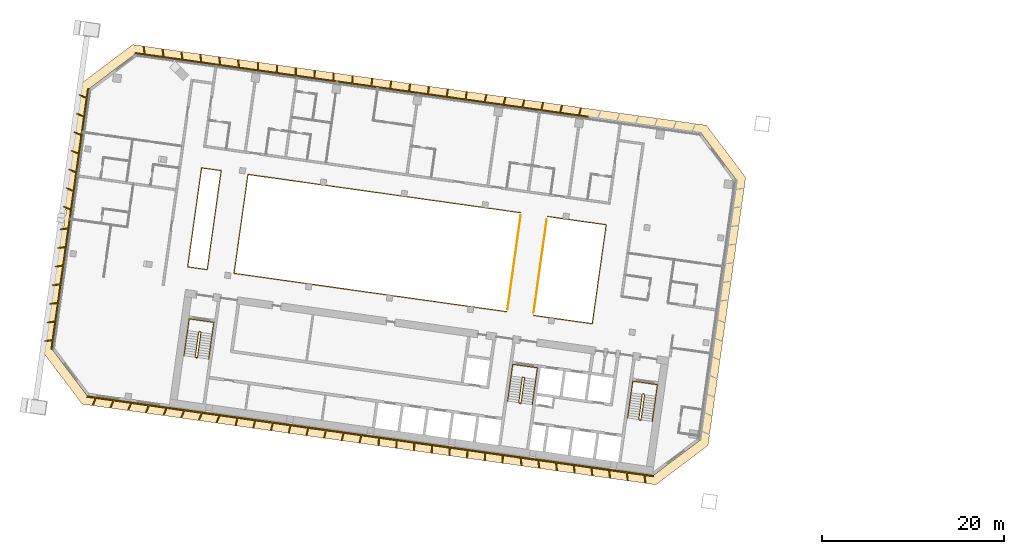
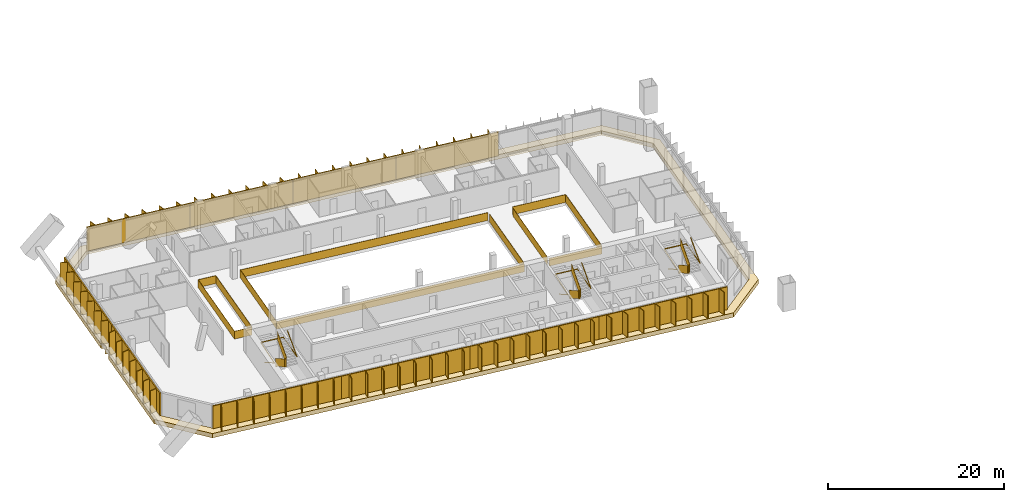
# One storey, part 32 of 34: 11 railings, 10 shading devices, 1 covering.
"""IFC4 building model written with IfcOpenShell, lengths in metres."""

from ifc_helpers import new_model, si_unit, direction, frame, origin, origin_2d, place, context, subcontext, project, spatial, polyline, rectangle, outline, extrude, material, layer, layer_set, type_object, element, save


model = new_model("IFC4")

# Units and contexts
model_context = context("Model", 3, precision=1e-05, world=origin(), true_north=direction((0.0, 1.0)))
body_context = subcontext(model_context, "Body", "Model", "MODEL_VIEW")
ifc_project = project(units=[si_unit("LENGTHUNIT", "METRE"), si_unit("AREAUNIT", "SQUARE_METRE"), si_unit("VOLUMEUNIT", "CUBIC_METRE"), si_unit("PLANEANGLEUNIT", "RADIAN"), si_unit("MASSUNIT", "GRAM", prefix="KILO")], contexts=[model_context])

# Site, building, storey
site_placement = place(None, origin())
site = spatial("IfcSite", under=ifc_project, at=site_placement, CompositionType="ELEMENT")
building_placement = place(site_placement, origin())
building = spatial("IfcBuilding", under=site, at=building_placement, Name="Mirante Cascada Hotel Towers", CompositionType="ELEMENT")
storey_placement = place(building_placement, frame((0.0, 0.0, 148.1)))
storey = spatial("IfcBuildingStorey", under=building, at=storey_placement, Name="L34", CompositionType="ELEMENT", Elevation=148.1)

# Railings
ifc_material_1 = material(Name="Toughened glass with stainless steel handrail", Category="steel")
railing_type_1 = type_object("IfcRailingType", Name="Atrium guard 1100 glass balustrade", PredefinedType="GUARDRAIL", material=ifc_material_1)
railing_1_placement = place(storey_placement, frame((-48.76, 8.3112, 0.0)))
element("IfcRailing", 1, at=railing_1_placement, inside=storey, type_object=railing_type_1, Name="GUARD 1-L34-1", PredefinedType="GUARDRAIL", context=body_context, shape_type="SweptSolid", body=[
    extrude(rectangle(XDim=0.048, YDim=0.048, at=origin_2d()), frame((0.0, 0.0, 1.076), z_axis=(0.9902694, -0.1391638, 0.0), x_axis=(0.1391638, 0.9902694, 0.0)), (0.0, 0.0, 1.0), 6.5125),
    extrude(rectangle(XDim=0.02, YDim=1.052, at=origin_2d()), frame((0.0, 0.0, 0.526), z_axis=(0.9902694, -0.1391638, 0.0), x_axis=(0.1391638, 0.9902694, 0.0)), (0.0, 0.0, 1.0), 6.5125),
    extrude(rectangle(XDim=0.048, YDim=0.048, at=origin_2d()), frame((6.4491, -0.9063, 1.076), z_axis=(-0.1391721, -0.9902682, 0.0), x_axis=(0.9902682, -0.1391721, 0.0)), (0.0, 0.0, 1.0), 11.0001),
    extrude(rectangle(XDim=0.02, YDim=1.052, at=origin_2d()), frame((6.4491, -0.9063, 0.526), z_axis=(-0.1391721, -0.9902682, 0.0), x_axis=(0.9902682, -0.1391721, 0.0)), (0.0, 0.0, 1.0), 11.0001),
    extrude(rectangle(XDim=0.048, YDim=0.048, at=origin_2d()), frame((4.9182, -11.7993, 1.076), z_axis=(-0.9902673, 0.1391788, 0.0), x_axis=(-0.1391788, -0.9902673, 0.0)), (0.0, 0.0, 1.0), 6.5125),
    extrude(rectangle(XDim=0.02, YDim=1.052, at=origin_2d()), frame((4.9182, -11.7993, 0.526), z_axis=(-0.9902673, 0.1391788, 0.0), x_axis=(-0.1391788, -0.9902673, 0.0)), (0.0, 0.0, 1.0), 6.5125),
])
railing_2_placement = place(storey_placement, frame((-53.2617, -2.1642, 0.0)))
element("IfcRailing", 2, at=railing_2_placement, inside=storey, type_object=railing_type_1, Name="GUARD 1-L34-2", PredefinedType="GUARDRAIL", context=body_context, shape_type="SweptSolid", body=[
    extrude(rectangle(XDim=0.048, YDim=0.048, at=origin_2d()), frame((0.0, 0.0, 1.076), z_axis=(-0.9902682, 0.1391722, 0.0), x_axis=(-0.1391722, -0.9902682, 0.0)), (0.0, 0.0, 1.0), 30.325),
    extrude(rectangle(XDim=0.02, YDim=1.052, at=origin_2d()), frame((0.0, 0.0, 0.526), z_axis=(-0.9902682, 0.1391722, 0.0), x_axis=(-0.1391722, -0.9902682, 0.0)), (0.0, 0.0, 1.0), 30.325),
    extrude(rectangle(XDim=0.048, YDim=0.048, at=origin_2d()), frame((-30.0299, 4.2204, 1.076), z_axis=(0.1391721, 0.9902682, 0.0), x_axis=(-0.9902682, 0.1391721, 0.0)), (0.0, 0.0, 1.0), 11.0001),
    extrude(rectangle(XDim=0.02, YDim=1.052, at=origin_2d()), frame((-30.0299, 4.2204, 0.526), z_axis=(0.1391721, 0.9902682, 0.0), x_axis=(-0.9902682, 0.1391721, 0.0)), (0.0, 0.0, 1.0), 11.0001),
    extrude(rectangle(XDim=0.048, YDim=0.048, at=origin_2d()), frame((-28.499, 15.1134, 1.076), z_axis=(0.9902682, -0.1391722, 0.0), x_axis=(0.1391722, 0.9902682, 0.0)), (0.0, 0.0, 1.0), 30.325),
    extrude(rectangle(XDim=0.02, YDim=1.052, at=origin_2d()), frame((-28.499, 15.1134, 0.526), z_axis=(0.9902682, -0.1391722, 0.0), x_axis=(0.1391722, 0.9902682, 0.0)), (0.0, 0.0, 1.0), 30.325),
])
railing_3_placement = place(storey_placement, frame((-86.2624, 2.4738, 0.0)))
element("IfcRailing", 3, at=railing_3_placement, inside=storey, type_object=railing_type_1, Name="GUARD 1-L34-3", PredefinedType="GUARDRAIL", context=body_context, shape_type="SweptSolid", body=[
    extrude(rectangle(XDim=0.048, YDim=0.048, at=origin_2d()), frame((0.0, 0.0, 1.076), z_axis=(-0.9902724, 0.1391422, 0.0), x_axis=(-0.1391422, -0.9902724, 0.0)), (0.0, 0.0, 1.0), 2.1625),
    extrude(rectangle(XDim=0.02, YDim=1.052, at=origin_2d()), frame((0.0, 0.0, 0.526), z_axis=(-0.9902724, 0.1391422, 0.0), x_axis=(-0.1391422, -0.9902724, 0.0)), (0.0, 0.0, 1.0), 2.1625),
    extrude(rectangle(XDim=0.048, YDim=0.048, at=origin_2d()), frame((-2.1415, 0.3009, 1.076), z_axis=(0.1391721, 0.9902682, 0.0), x_axis=(-0.9902682, 0.1391721, 0.0)), (0.0, 0.0, 1.0), 11.0001),
    extrude(rectangle(XDim=0.02, YDim=1.052, at=origin_2d()), frame((-2.1415, 0.3009, 0.526), z_axis=(0.1391721, 0.9902682, 0.0), x_axis=(-0.9902682, 0.1391721, 0.0)), (0.0, 0.0, 1.0), 11.0001),
    extrude(rectangle(XDim=0.048, YDim=0.048, at=origin_2d()), frame((-0.6106, 11.1939, 1.076), z_axis=(0.990266, -0.1391875, 0.0), x_axis=(0.1391875, 0.990266, 0.0)), (0.0, 0.0, 1.0), 2.1626),
    extrude(rectangle(XDim=0.02, YDim=1.052, at=origin_2d()), frame((-0.6106, 11.1939, 0.526), z_axis=(0.990266, -0.1391875, 0.0), x_axis=(0.1391875, 0.990266, 0.0)), (0.0, 0.0, 1.0), 2.1626),
    extrude(rectangle(XDim=0.048, YDim=0.048, at=origin_2d()), frame((1.5309, 10.8929, 1.076), z_axis=(-0.1391733, -0.990268, 0.0), x_axis=(0.990268, -0.1391733, 0.0)), (0.0, 0.0, 1.0), 11.0),
    extrude(rectangle(XDim=0.02, YDim=1.052, at=origin_2d()), frame((1.5309, 10.8929, 0.526), z_axis=(-0.1391733, -0.990268, 0.0), x_axis=(0.990268, -0.1391733, 0.0)), (0.0, 0.0, 1.0), 11.0),
])
railing_4_placement = place(storey_placement, frame((-53.172, -1.8782, 0.0)))
element("IfcRailing", 4, at=railing_4_placement, inside=storey, type_object=railing_type_1, Name="GUARD 1-L34-4", PredefinedType="GUARDRAIL", context=body_context, shape_type="SweptSolid", body=[
    extrude(rectangle(XDim=0.048, YDim=0.048, at=origin_2d()), frame((0.0, 0.0, 1.076), z_axis=(0.1391721, 0.9902682, 0.0), x_axis=(-0.9902682, 0.1391721, 0.0)), (0.0, 0.0, 1.0), 10.4087),
    extrude(rectangle(XDim=0.02, YDim=1.052, at=origin_2d()), frame((0.0, 0.0, 0.526), z_axis=(0.1391721, 0.9902682, 0.0), x_axis=(-0.9902682, 0.1391721, 0.0)), (0.0, 0.0, 1.0), 10.4087),
])
railing_5_placement = place(storey_placement, frame((-48.8497, 8.0253, 0.0)))
element("IfcRailing", 5, at=railing_5_placement, inside=storey, type_object=railing_type_1, Name="GUARD 1-L34-5", PredefinedType="GUARDRAIL", context=body_context, shape_type="SweptSolid", body=[
    extrude(rectangle(XDim=0.048, YDim=0.048, at=origin_2d()), frame((0.0, 0.0, 1.076), z_axis=(-0.1391708, -0.9902684, 0.0), x_axis=(0.9902684, -0.1391708, 0.0)), (0.0, 0.0, 1.0), 10.4088),
    extrude(rectangle(XDim=0.02, YDim=1.052, at=origin_2d()), frame((0.0, 0.0, 0.526), z_axis=(-0.1391708, -0.9902684, 0.0), x_axis=(0.9902684, -0.1391708, 0.0)), (0.0, 0.0, 1.0), 10.4088),
])

# Covering
ifc_material_2 = material(Name="Precast concrete C40/50 white", Category="concrete")
ifc_layer = layer(ifc_material_2, 0.6)
ifc_layer_set = layer_set([ifc_layer], Name="Precast concrete SUNSHADE band 1000x600")
covering_type = type_object("IfcCoveringType", Name="Precast concrete SUNSHADE band 1000x600", PredefinedType="CLADDING", material=ifc_layer_set)
covering_placement = place(storey_placement, frame((0.0, 0.0, -0.45)))
element("IfcCovering", 6, at=covering_placement, inside=storey, type_object=covering_type, Name="Precast concrete SUNSHADE band T1 L34", PredefinedType="CLADDING", context=body_context, shape_type="SweptSolid", body=[
    extrude(outline(polyline([(-104.3652, -6.6094), (-102.4514, 7.0078), (-102.4357, 7.0088), (-102.3892, 7.0162), (-102.3436, 7.0282), (-102.2994, 7.0446), (-102.2571, 7.0652), (-102.217, 7.0899), (-102.1795, 7.1184), (-102.1449, 7.1504), (-102.1137, 7.1857), (-102.0861, 7.2238), (-102.0623, 7.2645), (-102.0427, 7.3073), (-102.0273, 7.3519), (-102.0164, 7.3977), (-101.9727, 7.6312), (-101.9664, 7.6778), (-101.9646, 7.7249), (-101.9674, 7.7719), (-101.9749, 7.8184), (-101.9869, 7.864), (-102.0032, 7.9082), (-102.0239, 7.9505), (-102.0485, 7.9906), (-102.077, 8.0282), (-102.1091, 8.0627), (-102.1443, 8.0939), (-102.1825, 8.1215), (-102.2232, 8.1453), (-102.2389, 8.1525), (-102.2218, 8.1551), (-102.1761, 8.1667), (-102.1319, 8.1828), (-102.0893, 8.2031), (-102.049, 8.2274), (-102.0113, 8.2557), (-101.9765, 8.2874), (-101.945, 8.3224), (-101.9171, 8.3604), (-101.893, 8.4009), (-101.8731, 8.4435), (-101.8574, 8.4879), (-101.8461, 8.5337), (-101.8393, 8.5803), (-101.817, 8.8168), (-101.8148, 8.8638), (-101.8173, 8.9109), (-101.8244, 8.9574), (-101.836, 9.0031), (-101.852, 9.0474), (-101.8723, 9.0899), (-101.8967, 9.1302), (-101.9249, 9.1679), (-101.9567, 9.2027), (-101.9917, 9.2342), (-102.0296, 9.2621), (-102.0701, 9.2862), (-102.1128, 9.3062), (-102.1277, 9.3114), (-100.2139, 22.9287), (-94.4698, 27.2572), (-31.2626, 18.374), (-26.9341, 12.6299), (-31.0854, -16.9082), (-36.8295, -21.2367), (-100.0367, -12.3535), (-104.3652, -6.6094)]), holes=[polyline([(-27.982, 12.3589), (-31.8119, 17.4414), (-94.1988, 26.2093), (-99.2813, 22.3794), (-103.3173, -6.3384), (-99.4874, -11.4209), (-37.1005, -20.1888), (-32.018, -16.3589), (-27.982, 12.3589)])]), origin(), (0.0, 0.0, 1.0), 0.6),
])

# Railings
ifc_material_3 = material(Name="Painted steel", Category="steel")
railing_type_2 = type_object("IfcRailingType", Name="Stair guard 1100 steel balustrade", PredefinedType="GUARDRAIL", material=ifc_material_3)
railing_6_placement = place(storey_placement, frame((-38.1178, -11.2603, 0.0)))
element("IfcRailing", 7, at=railing_6_placement, inside=storey, type_object=railing_type_2, Name="L34 ST1-A stair guard 1", PredefinedType="GUARDRAIL", context=body_context, shape_type="SweptSolid", body=[
    extrude(rectangle(XDim=0.048, YDim=0.048, at=origin_2d()), frame((0.0, 0.0, 1.076), z_axis=(-0.9903326, 0.1387133, 0.0), x_axis=(-0.1387133, -0.9903326, 0.0)), (0.0, 0.0, 1.0), 0.1499),
    extrude(rectangle(XDim=0.02, YDim=1.052, at=origin_2d()), frame((0.0, 0.0, 0.526), z_axis=(-0.9903326, 0.1387133, 0.0), x_axis=(-0.1387133, -0.9903326, 0.0)), (0.0, 0.0, 1.0), 0.1499),
    extrude(rectangle(XDim=0.048, YDim=0.048, at=origin_2d()), frame((-0.1485, 0.0208, 1.076), z_axis=(-0.7991505, -0.6011309, 0.0), x_axis=(0.6011309, -0.7991505, 0.0)), (0.0, 0.9254529, 0.3788627), 0.1866),
    extrude(rectangle(XDim=0.02, YDim=1.052, at=origin_2d()), frame((-0.1485, 0.0208, 0.526), z_axis=(-0.7991505, -0.6011309, 0.0), x_axis=(0.6011309, -0.7991505, 0.0)), (0.0, 0.9254529, 0.3788627), 0.1866),
    extrude(rectangle(XDim=0.048, YDim=0.048, at=origin_2d()), frame((-0.205, -0.0217, 1.2487), z_axis=(-0.139176, -0.9902677, 0.0), x_axis=(0.9902677, -0.139176, 0.0)), (0.0, 0.5250212, 0.8510891), 3.29),
    extrude(rectangle(XDim=0.02, YDim=1.052, at=origin_2d()), frame((-0.205, -0.0217, 0.6987), z_axis=(-0.139176, -0.9902677, 0.0), x_axis=(0.9902677, -0.139176, 0.0)), (0.0, 0.5250212, 0.8510891), 3.29),
    extrude(rectangle(XDim=0.048, YDim=0.048, at=origin_2d()), frame((-0.5947, -2.7945, 2.976), z_axis=(0.9270311, -0.3749843, 0.0), x_axis=(0.3749843, 0.9270311, 0.0)), (0.0, 0.0, 1.0), 0.2061),
    extrude(rectangle(XDim=0.02, YDim=1.052, at=origin_2d()), frame((-0.5947, -2.7945, 2.426), z_axis=(0.9270311, -0.3749843, 0.0), x_axis=(0.3749843, 0.9270311, 0.0)), (0.0, 0.0, 1.0), 0.2061),
    extrude(rectangle(XDim=0.048, YDim=0.048, at=origin_2d()), frame((-0.4036, -2.8718, 2.976), z_axis=(-0.9902408, 0.1393672, 0.0), x_axis=(-0.1393672, -0.9902408, 0.0)), (0.0, 0.0, 1.0), 0.15),
    extrude(rectangle(XDim=0.02, YDim=1.052, at=origin_2d()), frame((-0.4036, -2.8718, 2.426), z_axis=(-0.9902408, 0.1393672, 0.0), x_axis=(-0.1393672, -0.9902408, 0.0)), (0.0, 0.0, 1.0), 0.15),
    extrude(rectangle(XDim=0.048, YDim=0.048, at=origin_2d()), frame((-0.5521, -2.8509, 2.976), z_axis=(0.9944948, 0.1047858, 0.0), x_axis=(-0.1047858, 0.9944948, 0.0)), (0.0, 0.6422034, 0.7665343), 0.2689),
    extrude(rectangle(XDim=0.02, YDim=1.052, at=origin_2d()), frame((-0.5521, -2.8509, 2.426), z_axis=(0.9944948, 0.1047858, 0.0), x_axis=(-0.1047858, 0.9944948, 0.0)), (0.0, 0.6422034, 0.7665343), 0.2689),
    extrude(rectangle(XDim=0.048, YDim=0.048, at=origin_2d()), frame((-0.3471, -2.8293, 3.1487), z_axis=(0.139176, 0.9902677, 0.0), x_axis=(-0.9902677, 0.139176, 0.0)), (0.0, 0.5250212, 0.8510891), 3.29),
    extrude(rectangle(XDim=0.02, YDim=1.052, at=origin_2d()), frame((-0.3471, -2.8293, 2.5987), z_axis=(0.139176, 0.9902677, 0.0), x_axis=(-0.9902677, 0.139176, 0.0)), (0.0, 0.5250212, 0.8510891), 3.29),
])
railing_7_placement = place(storey_placement, frame((-51.3379, -9.4024, 0.0)))
element("IfcRailing", 8, at=railing_7_placement, inside=storey, type_object=railing_type_2, Name="L34 ST1-B stair guard 1", PredefinedType="GUARDRAIL", context=body_context, shape_type="SweptSolid", body=[
    extrude(rectangle(XDim=0.048, YDim=0.048, at=origin_2d()), frame((0.0, 0.0, 1.076), z_axis=(-0.9902408, 0.1393672, 0.0), x_axis=(-0.1393672, -0.9902408, 0.0)), (0.0, 0.0, 1.0), 0.15),
    extrude(rectangle(XDim=0.02, YDim=1.052, at=origin_2d()), frame((0.0, 0.0, 0.526), z_axis=(-0.9902408, 0.1393672, 0.0), x_axis=(-0.1393672, -0.9902408, 0.0)), (0.0, 0.0, 1.0), 0.15),
    extrude(rectangle(XDim=0.048, YDim=0.048, at=origin_2d()), frame((-0.1485, 0.0209, 1.076), z_axis=(-0.7984711, -0.6020331, 0.0), x_axis=(0.6020331, -0.7984711, 0.0)), (0.0, 0.9253398, 0.3791387), 0.1866),
    extrude(rectangle(XDim=0.02, YDim=1.052, at=origin_2d()), frame((-0.1485, 0.0209, 0.526), z_axis=(-0.7984711, -0.6020331, 0.0), x_axis=(0.6020331, -0.7984711, 0.0)), (0.0, 0.9253398, 0.3791387), 0.1866),
    extrude(rectangle(XDim=0.048, YDim=0.048, at=origin_2d()), frame((-0.205, -0.0217, 1.2487), z_axis=(-0.139181, -0.990267, 0.0), x_axis=(0.990267, -0.139181, 0.0)), (0.0, 0.5250347, 0.8510808), 3.2899),
    extrude(rectangle(XDim=0.02, YDim=1.052, at=origin_2d()), frame((-0.205, -0.0217, 0.6987), z_axis=(-0.139181, -0.990267, 0.0), x_axis=(0.990267, -0.139181, 0.0)), (0.0, 0.5250347, 0.8510808), 3.2899),
    extrude(rectangle(XDim=0.048, YDim=0.048, at=origin_2d()), frame((-0.5947, -2.7944, 2.976), z_axis=(0.9268624, -0.3754011, 0.0), x_axis=(0.3754011, 0.9268624, 0.0)), (0.0, 0.0, 1.0), 0.2062),
    extrude(rectangle(XDim=0.02, YDim=1.052, at=origin_2d()), frame((-0.5947, -2.7944, 2.426), z_axis=(0.9268624, -0.3754011, 0.0), x_axis=(0.3754011, 0.9268624, 0.0)), (0.0, 0.0, 1.0), 0.2062),
    extrude(rectangle(XDim=0.048, YDim=0.048, at=origin_2d()), frame((-0.4036, -2.8718, 2.976), z_axis=(-0.9902408, 0.1393672, 0.0), x_axis=(-0.1393672, -0.9902408, 0.0)), (0.0, 0.0, 1.0), 0.15),
    extrude(rectangle(XDim=0.02, YDim=1.052, at=origin_2d()), frame((-0.4036, -2.8718, 2.426), z_axis=(-0.9902408, 0.1393672, 0.0), x_axis=(-0.1393672, -0.9902408, 0.0)), (0.0, 0.0, 1.0), 0.15),
    extrude(rectangle(XDim=0.048, YDim=0.048, at=origin_2d()), frame((-0.5521, -2.8509, 2.976), z_axis=(0.9944441, 0.1052656, 0.0), x_axis=(-0.1052656, 0.9944441, 0.0)), (0.0, 0.6421842, 0.7665504), 0.2689),
    extrude(rectangle(XDim=0.02, YDim=1.052, at=origin_2d()), frame((-0.5521, -2.8509, 2.426), z_axis=(0.9944441, 0.1052656, 0.0), x_axis=(-0.1052656, 0.9944441, 0.0)), (0.0, 0.6421842, 0.7665504), 0.2689),
    extrude(rectangle(XDim=0.048, YDim=0.048, at=origin_2d()), frame((-0.3471, -2.8292, 3.1487), z_axis=(0.139181, 0.990267, 0.0), x_axis=(-0.990267, 0.139181, 0.0)), (0.0, 0.5250347, 0.8510808), 3.2899),
    extrude(rectangle(XDim=0.02, YDim=1.052, at=origin_2d()), frame((-0.3471, -2.8292, 2.5987), z_axis=(0.139181, 0.990267, 0.0), x_axis=(-0.990267, 0.139181, 0.0)), (0.0, 0.5250347, 0.8510808), 3.2899),
])
railing_8_placement = place(storey_placement, frame((-86.9875, -4.3922, 0.0)))
element("IfcRailing", 9, at=railing_8_placement, inside=storey, type_object=railing_type_2, Name="L34 ST1-C stair guard 1", PredefinedType="GUARDRAIL", context=body_context, shape_type="SweptSolid", body=[
    extrude(rectangle(XDim=0.048, YDim=0.048, at=origin_2d()), frame((0.0, 0.0, 1.076), z_axis=(-0.9902537, 0.1392753, 0.0), x_axis=(-0.1392753, -0.9902537, 0.0)), (0.0, 0.0, 1.0), 0.1501),
    extrude(rectangle(XDim=0.02, YDim=1.052, at=origin_2d()), frame((0.0, 0.0, 0.526), z_axis=(-0.9902537, 0.1392753, 0.0), x_axis=(-0.1392753, -0.9902537, 0.0)), (0.0, 0.0, 1.0), 0.1501),
    extrude(rectangle(XDim=0.048, YDim=0.048, at=origin_2d()), frame((-0.1486, 0.0209, 1.076), z_axis=(-0.7986386, -0.601811, 0.0), x_axis=(0.601811, -0.7986386, 0.0)), (0.0, 0.925603, 0.3784959), 0.1866),
    extrude(rectangle(XDim=0.02, YDim=1.052, at=origin_2d()), frame((-0.1486, 0.0209, 0.526), z_axis=(-0.7986386, -0.601811, 0.0), x_axis=(0.601811, -0.7986386, 0.0)), (0.0, 0.925603, 0.3784959), 0.1866),
    extrude(rectangle(XDim=0.048, YDim=0.048, at=origin_2d()), frame((-0.205, -0.0216, 1.2487), z_axis=(-0.139176, -0.9902677, 0.0), x_axis=(0.9902677, -0.139176, 0.0)), (0.0, 0.5250212, 0.8510891), 3.29),
    extrude(rectangle(XDim=0.02, YDim=1.052, at=origin_2d()), frame((-0.205, -0.0216, 0.6987), z_axis=(-0.139176, -0.9902677, 0.0), x_axis=(0.9902677, -0.139176, 0.0)), (0.0, 0.5250212, 0.8510891), 3.29),
    extrude(rectangle(XDim=0.048, YDim=0.048, at=origin_2d()), frame((-0.5947, -2.7944, 2.976), z_axis=(0.9270311, -0.3749843, 0.0), x_axis=(0.3749843, 0.9270311, 0.0)), (0.0, 0.0, 1.0), 0.2061),
    extrude(rectangle(XDim=0.02, YDim=1.052, at=origin_2d()), frame((-0.5947, -2.7944, 2.426), z_axis=(0.9270311, -0.3749843, 0.0), x_axis=(0.3749843, 0.9270311, 0.0)), (0.0, 0.0, 1.0), 0.2061),
    extrude(rectangle(XDim=0.048, YDim=0.048, at=origin_2d()), frame((-0.4036, -2.8717, 2.976), z_axis=(-0.9903454, 0.1386217, 0.0), x_axis=(-0.1386217, -0.9903454, 0.0)), (0.0, 0.0, 1.0), 0.15),
    extrude(rectangle(XDim=0.02, YDim=1.052, at=origin_2d()), frame((-0.4036, -2.8717, 2.426), z_axis=(-0.9903454, 0.1386217, 0.0), x_axis=(-0.1386217, -0.9903454, 0.0)), (0.0, 0.0, 1.0), 0.15),
    extrude(rectangle(XDim=0.048, YDim=0.048, at=origin_2d()), frame((-0.5522, -2.8509, 2.976), z_axis=(0.9944441, 0.1052656, 0.0), x_axis=(-0.1052656, 0.9944441, 0.0)), (0.0, 0.6421842, 0.7665504), 0.2689),
    extrude(rectangle(XDim=0.02, YDim=1.052, at=origin_2d()), frame((-0.5522, -2.8509, 2.426), z_axis=(0.9944441, 0.1052656, 0.0), x_axis=(-0.1052656, 0.9944441, 0.0)), (0.0, 0.6421842, 0.7665504), 0.2689),
    extrude(rectangle(XDim=0.048, YDim=0.048, at=origin_2d()), frame((-0.3472, -2.8292, 3.1487), z_axis=(0.139176, 0.9902677, 0.0), x_axis=(-0.9902677, 0.139176, 0.0)), (0.0, 0.5250212, 0.8510891), 3.29),
    extrude(rectangle(XDim=0.02, YDim=1.052, at=origin_2d()), frame((-0.3472, -2.8292, 2.5987), z_axis=(0.139176, 0.9902677, 0.0), x_axis=(-0.9902677, 0.139176, 0.0)), (0.0, 0.5250212, 0.8510891), 3.29),
])
ifc_material_4 = material(Name="Painted steel", Category="steel")
railing_type_3 = type_object("IfcRailingType", Name="Stair handrail 900 steel tube", PredefinedType="HANDRAIL", material=ifc_material_4)
railing_9_placement = place(storey_placement, frame((-39.5606, -11.1081, 0.1727)))
element("IfcRailing", 10, at=railing_9_placement, inside=storey, type_object=railing_type_3, Name="L34 ST1-A stair handrail 1", PredefinedType="HANDRAIL", context=body_context, shape_type="SweptSolid", body=[
    extrude(rectangle(XDim=0.048, YDim=0.048, at=origin_2d()), frame((0.0, 0.0, 0.876), z_axis=(-0.139181, -0.990267, 0.0), x_axis=(0.990267, -0.139181, 0.0)), (0.0, 0.5250347, 0.8510808), 3.2899),
    extrude(rectangle(XDim=0.048, YDim=0.048, at=origin_2d()), frame((-0.3897, -2.7727, 2.6033), z_axis=(0.1391707, 0.9902684, 0.0), x_axis=(-0.9902684, 0.1391707, 0.0)), (0.0, 0.0420846, 0.999114), 4.1036),
    extrude(rectangle(XDim=0.048, YDim=0.048, at=origin_2d()), frame((0.1809, 1.2874, 2.776), z_axis=(0.9902691, -0.1391657, 0.0), x_axis=(0.1391657, 0.9902691, 0.0)), (0.0, 0.0, 1.0), 2.75),
    extrude(rectangle(XDim=0.048, YDim=0.048, at=origin_2d()), frame((2.9041, 0.9047, 2.776), z_axis=(-0.1391707, -0.9902684, 0.0), x_axis=(0.9902684, -0.1391707, 0.0)), (0.0, 0.0, 1.0), 4.1),
    extrude(rectangle(XDim=0.048, YDim=0.048, at=origin_2d()), frame((2.3335, -3.1554, 2.776), z_axis=(0.139181, 0.990267, 0.0), x_axis=(-0.990267, 0.139181, 0.0)), (0.0, 0.5250347, 0.8510808), 3.2899),
])
railing_10_placement = place(storey_placement, frame((-52.7807, -9.2501, 0.1727)))
element("IfcRailing", 11, at=railing_10_placement, inside=storey, type_object=railing_type_3, Name="L34 ST1-B stair handrail 1", PredefinedType="HANDRAIL", context=body_context, shape_type="SweptSolid", body=[
    extrude(rectangle(XDim=0.048, YDim=0.048, at=origin_2d()), frame((0.0, 0.0, 0.876), z_axis=(-0.139181, -0.990267, 0.0), x_axis=(0.990267, -0.139181, 0.0)), (0.0, 0.5250347, 0.8510808), 3.2899),
    extrude(rectangle(XDim=0.048, YDim=0.048, at=origin_2d()), frame((-0.3897, -2.7727, 2.6033), z_axis=(0.1391707, 0.9902684, 0.0), x_axis=(-0.9902684, 0.1391707, 0.0)), (0.0, 0.0420846, 0.999114), 4.1036),
    extrude(rectangle(XDim=0.048, YDim=0.048, at=origin_2d()), frame((0.1809, 1.2874, 2.776), z_axis=(0.9902641, -0.1392013, 0.0), x_axis=(0.1392013, 0.9902641, 0.0)), (0.0, 0.0, 1.0), 2.75),
    extrude(rectangle(XDim=0.048, YDim=0.048, at=origin_2d()), frame((2.9041, 0.9046, 2.776), z_axis=(-0.1391707, -0.9902684, 0.0), x_axis=(0.9902684, -0.1391707, 0.0)), (0.0, 0.0, 1.0), 4.1),
    extrude(rectangle(XDim=0.048, YDim=0.048, at=origin_2d()), frame((2.3335, -3.1555, 2.776), z_axis=(0.139176, 0.9902677, 0.0), x_axis=(-0.9902677, 0.139176, 0.0)), (0.0, 0.5250212, 0.8510891), 3.29),
])
railing_11_placement = place(storey_placement, frame((-88.4304, -4.2399, 0.1727)))
element("IfcRailing", 12, at=railing_11_placement, inside=storey, type_object=railing_type_3, Name="L34 ST1-C stair handrail 1", PredefinedType="HANDRAIL", context=body_context, shape_type="SweptSolid", body=[
    extrude(rectangle(XDim=0.048, YDim=0.048, at=origin_2d()), frame((0.0, 0.0, 0.876), z_axis=(-0.139181, -0.990267, 0.0), x_axis=(0.990267, -0.139181, 0.0)), (0.0, 0.5250347, 0.8510808), 3.2899),
    extrude(rectangle(XDim=0.048, YDim=0.048, at=origin_2d()), frame((-0.3897, -2.7727, 2.6033), z_axis=(0.1391947, 0.990265, 0.0), x_axis=(-0.990265, 0.1391947, 0.0)), (0.0, 0.0420845, 0.9991141), 4.1036),
    extrude(rectangle(XDim=0.048, YDim=0.048, at=origin_2d()), frame((0.181, 1.2874, 2.776), z_axis=(0.9902691, -0.1391657, 0.0), x_axis=(0.1391657, 0.9902691, 0.0)), (0.0, 0.0, 1.0), 2.75),
    extrude(rectangle(XDim=0.048, YDim=0.048, at=origin_2d()), frame((2.9042, 0.9047, 2.776), z_axis=(-0.1391707, -0.9902684, 0.0), x_axis=(0.9902684, -0.1391707, 0.0)), (0.0, 0.0, 1.0), 4.1),
    extrude(rectangle(XDim=0.048, YDim=0.048, at=origin_2d()), frame((2.3336, -3.1554, 2.776), z_axis=(0.139181, 0.990267, 0.0), x_axis=(-0.990267, 0.139181, 0.0)), (0.0, 0.5250347, 0.8510808), 3.2899),
])

# Shading devices
ifc_material_5 = material(Name="White precast concrete C50/60 fin", Category="concrete")
shading_device_type = type_object("IfcShadingDeviceType", Name="Vertical fin set 4500x900", PredefinedType="USERDEFINED", material=ifc_material_5)
shading_device_1_placement = place(storey_placement, origin())
element("IfcShadingDevice", 13, at=shading_device_1_placement, inside=storey, type_object=shading_device_type, Name="FIN T1 L34 front 1", ObjectType="FIN", PredefinedType="USERDEFINED", context=body_context, shape_type="SweptSolid", body=[
    extrude(outline(polyline([(-82.8173, 25.599), (-82.7126, 24.7465), (-81.7006, 24.6042), (-81.7214, 24.4557), (-94.1988, 26.2093), (-94.1779, 26.3578), (-93.1924, 26.2193), (-93.2945, 27.0506), (-93.2151, 27.0603), (-93.1104, 26.2078), (-91.1129, 25.9271), (-91.2149, 26.7583), (-91.1355, 26.7681), (-91.0308, 25.9155), (-89.0333, 25.6348), (-89.1354, 26.4661), (-89.056, 26.4758), (-88.9513, 25.6233), (-86.9537, 25.3425), (-87.0558, 26.1738), (-86.9764, 26.1835), (-86.8717, 25.331), (-84.8742, 25.0503), (-84.9762, 25.8815), (-84.8968, 25.8913), (-84.7922, 25.0387), (-82.7946, 24.758), (-82.8967, 25.5893), (-82.8173, 25.599)])), origin(), (0.0, 0.0, 1.0), 3.3),
])
shading_device_2_placement = place(storey_placement, origin())
element("IfcShadingDevice", 14, at=shading_device_2_placement, inside=storey, type_object=shading_device_type, Name="FIN T1 L34 front 2", ObjectType="FIN", PredefinedType="USERDEFINED", context=body_context, shape_type="SweptSolid", body=[
    extrude(outline(polyline([(-70.2221, 23.8469), (-70.2295, 22.9921), (-69.2232, 22.8507), (-69.2441, 22.7021), (-81.7214, 24.4557), (-81.7006, 24.6042), (-80.7072, 24.4646), (-80.6999, 25.3089), (-80.6199, 25.3082), (-80.6273, 24.4534), (-78.6277, 24.1724), (-78.6203, 25.0166), (-78.5403, 25.0159), (-78.5478, 24.1611), (-76.5481, 23.8801), (-76.5407, 24.7244), (-76.4608, 24.7237), (-76.4682, 23.8689), (-74.4686, 23.5878), (-74.4612, 24.4321), (-74.3812, 24.4314), (-74.3886, 23.5766), (-72.389, 23.2956), (-72.3816, 24.1399), (-72.3016, 24.1392), (-72.3091, 23.2844), (-70.3094, 23.0033), (-70.3021, 23.8476), (-70.2221, 23.8469)])), origin(), (0.0, 0.0, 1.0), 3.3),
])
shading_device_3_placement = place(storey_placement, origin())
element("IfcShadingDevice", 15, at=shading_device_3_placement, inside=storey, type_object=shading_device_type, Name="FIN T1 L34 front 3", ObjectType="FIN", PredefinedType="USERDEFINED", context=body_context, shape_type="SweptSolid", body=[
    extrude(outline(polyline([(-57.6277, 22.0794), (-57.746, 21.2376), (-56.7458, 21.0971), (-56.7667, 20.9485), (-69.2441, 22.7021), (-69.2232, 22.8507), (-68.223, 22.7101), (-68.1047, 23.5518), (-68.0255, 23.5407), (-68.1438, 22.699), (-66.1434, 22.4178), (-66.0251, 23.2596), (-65.9459, 23.2484), (-66.0642, 22.4067), (-64.0639, 22.1256), (-63.9456, 22.9673), (-63.8664, 22.9562), (-63.9847, 22.1144), (-61.9843, 21.8333), (-61.866, 22.675), (-61.7868, 22.6639), (-61.9051, 21.8222), (-59.9048, 21.541), (-59.7865, 22.3828), (-59.7072, 22.3716), (-59.8255, 21.5299), (-57.8252, 21.2488), (-57.7069, 22.0905), (-57.6277, 22.0794)])), origin(), (0.0, 0.0, 1.0), 3.3),
])
shading_device_4_placement = place(storey_placement, origin())
element("IfcShadingDevice", 16, at=shading_device_4_placement, inside=storey, type_object=shading_device_type, Name="FIN T1 L34 front 4", ObjectType="FIN", PredefinedType="USERDEFINED", context=body_context, shape_type="SweptSolid", body=[
    extrude(outline(polyline([(-45.0361, 20.2967), (-45.2617, 19.4831), (-44.2684, 19.3435), (-44.2893, 19.195), (-56.7667, 20.9485), (-56.7458, 21.0971), (-55.7394, 20.9556), (-55.511, 21.7794), (-55.4339, 21.758), (-55.6595, 20.9444), (-53.6599, 20.6634), (-53.4314, 21.4871), (-53.3544, 21.4657), (-53.58, 20.6521), (-51.5803, 20.3711), (-51.3519, 21.1949), (-51.2748, 21.1735), (-51.5004, 20.3599), (-49.5008, 20.0789), (-49.2723, 20.9026), (-49.1952, 20.8812), (-49.4209, 20.0676), (-47.4212, 19.7866), (-47.1928, 20.6103), (-47.1157, 20.589), (-47.3413, 19.7754), (-45.3416, 19.4943), (-45.1132, 20.3181), (-45.0361, 20.2967)])), origin(), (0.0, 0.0, 1.0), 3.3),
])
shading_device_5_placement = place(storey_placement, origin())
element("IfcShadingDevice", 17, at=shading_device_5_placement, inside=storey, type_object=shading_device_type, Name="FIN T1 L34 outer 1", ObjectType="FIN", PredefinedType="USERDEFINED", context=body_context, shape_type="SweptSolid", body=[
    extrude(outline(polyline([(-103.3178, -5.2642), (-103.041, -3.2949), (-103.8723, -3.397), (-103.8821, -3.3176), (-103.0295, -3.2129), (-102.7528, -1.2436), (-103.584, -1.3457), (-103.5938, -1.2663), (-102.7412, -1.1616), (-102.4645, 0.8076), (-103.2957, 0.7056), (-103.3055, 0.785), (-102.4529, 0.8896), (-102.1762, 2.8589), (-103.0075, 2.7568), (-103.0172, 2.8362), (-102.1647, 2.9409), (-101.8879, 4.9102), (-102.7192, 4.8081), (-102.7289, 4.8875), (-101.8764, 4.9922), (-101.5996, 6.9614), (-102.4309, 6.8594), (-102.4406, 6.9388), (-101.5881, 7.0434), (-101.4478, 8.0413), (-101.2993, 8.0205), (-103.3173, -6.3384), (-103.4659, -6.3175), (-103.3293, -5.3462), (-104.1606, -5.4483), (-104.1704, -5.3689), (-103.3178, -5.2642)])), origin(), (0.0, 0.0, 1.0), 3.3),
])
shading_device_6_placement = place(storey_placement, origin())
element("IfcShadingDevice", 18, at=shading_device_6_placement, inside=storey, type_object=shading_device_type, Name="FIN T1 L34 outer 2", ObjectType="FIN", PredefinedType="USERDEFINED", context=body_context, shape_type="SweptSolid", body=[
    extrude(outline(polyline([(-101.2961, 9.1212), (-101.0193, 11.0905), (-101.81, 11.4261), (-101.7787, 11.4998), (-101.0078, 11.1725), (-100.731, 13.1418), (-101.5217, 13.4774), (-101.4904, 13.551), (-100.7195, 13.2238), (-100.4427, 15.193), (-101.2334, 15.5287), (-101.2021, 15.6023), (-100.4312, 15.2751), (-100.1544, 17.2443), (-100.9451, 17.5799), (-100.9139, 17.6536), (-100.1429, 17.3263), (-99.8662, 19.2956), (-100.6568, 19.6312), (-100.6256, 19.7048), (-99.8546, 19.3776), (-99.5779, 21.3469), (-100.3685, 21.6825), (-100.3373, 21.7561), (-99.5663, 21.4289), (-99.4298, 22.4002), (-99.2813, 22.3794), (-101.2993, 8.0205), (-101.4478, 8.0413), (-101.3076, 9.0392), (-102.0983, 9.3749), (-102.067, 9.4485), (-101.2961, 9.1212)])), origin(), (0.0, 0.0, 1.0), 3.3),
])
shading_device_7_placement = place(storey_placement, origin())
element("IfcShadingDevice", 19, at=shading_device_7_placement, inside=storey, type_object=shading_device_type, Name="FIN T1 L34 rear 1", ObjectType="FIN", PredefinedType="USERDEFINED", context=body_context, shape_type="SweptSolid", body=[
    extrude(outline(polyline([(-38.1239, -20.1965), (-39.9915, -19.934), (-39.8894, -20.7653), (-39.9688, -20.775), (-40.0735, -19.9225), (-41.9411, -19.66), (-41.839, -20.4913), (-41.9184, -20.501), (-42.0231, -19.6485), (-43.8907, -19.386), (-43.7886, -20.2173), (-43.868, -20.227), (-43.9727, -19.3745), (-45.8403, -19.112), (-45.7382, -19.9433), (-45.8176, -19.953), (-45.9223, -19.1005), (-47.7898, -18.838), (-47.6878, -19.6693), (-47.7672, -19.679), (-47.8719, -18.8265), (-49.7394, -18.564), (-49.6374, -19.3953), (-49.7168, -19.405), (-49.8214, -18.5525), (-51.689, -18.29), (-51.587, -19.1213), (-51.6664, -19.131), (-51.771, -18.2785), (-52.7181, -18.1454), (-52.6972, -17.9968), (-37.1005, -20.1888), (-37.1214, -20.3374), (-38.0419, -20.208), (-37.9398, -21.0393), (-38.0192, -21.049), (-38.1239, -20.1965)])), origin(), (0.0, 0.0, 1.0), 3.3),
])
shading_device_8_placement = place(storey_placement, origin())
element("IfcShadingDevice", 20, at=shading_device_8_placement, inside=storey, type_object=shading_device_type, Name="FIN T1 L34 rear 2", ObjectType="FIN", PredefinedType="USERDEFINED", context=body_context, shape_type="SweptSolid", body=[
    extrude(outline(polyline([(-53.7283, -18.0034), (-55.5984, -17.7406), (-55.6427, -18.5857), (-55.7226, -18.5815), (-55.6779, -17.7294), (-57.548, -17.4666), (-57.5923, -18.3117), (-57.6722, -18.3075), (-57.6275, -17.4554), (-59.4976, -17.1926), (-59.5419, -18.0377), (-59.6217, -18.0335), (-59.5771, -17.1814), (-61.4472, -16.9186), (-61.4914, -17.7637), (-61.5713, -17.7596), (-61.5267, -16.9074), (-63.3967, -16.6446), (-63.441, -17.4897), (-63.5209, -17.4856), (-63.4763, -16.6334), (-65.3463, -16.3706), (-65.3906, -17.2157), (-65.4705, -17.2116), (-65.4259, -16.3594), (-67.2959, -16.0966), (-67.3402, -16.9417), (-67.4201, -16.9376), (-67.3755, -16.0854), (-68.3148, -15.9534), (-68.2939, -15.8049), (-52.6972, -17.9968), (-52.7181, -18.1454), (-53.6488, -18.0146), (-53.6931, -18.8597), (-53.773, -18.8555), (-53.7283, -18.0034)])), origin(), (0.0, 0.0, 1.0), 3.3),
])
shading_device_9_placement = place(storey_placement, origin())
element("IfcShadingDevice", 21, at=shading_device_9_placement, inside=storey, type_object=shading_device_type, Name="FIN T1 L34 rear 3", ObjectType="FIN", PredefinedType="USERDEFINED", context=body_context, shape_type="SweptSolid", body=[
    extrude(outline(polyline([(-69.3337, -15.8102), (-71.2038, -15.5474), (-71.3957, -16.3788), (-71.4737, -16.3608), (-71.2833, -15.5362), (-73.1534, -15.2734), (-73.3453, -16.1048), (-73.4233, -16.0868), (-73.2329, -15.2622), (-75.103, -14.9994), (-75.2949, -15.8308), (-75.3729, -15.8128), (-75.1825, -14.9882), (-77.0525, -14.7254), (-77.2445, -15.5568), (-77.3224, -15.5388), (-77.1321, -14.7142), (-79.0021, -14.4514), (-79.1941, -15.2828), (-79.272, -15.2648), (-79.0817, -14.4402), (-80.9517, -14.1774), (-81.1437, -15.0088), (-81.2216, -14.9908), (-81.0312, -14.1662), (-82.9013, -13.9034), (-83.0933, -14.7348), (-83.1712, -14.7168), (-82.9808, -13.8922), (-83.9115, -13.7614), (-83.8907, -13.6129), (-68.2939, -15.8049), (-68.3148, -15.9534), (-69.2542, -15.8214), (-69.4461, -16.6528), (-69.5241, -16.6348), (-69.3337, -15.8102)])), origin(), (0.0, 0.0, 1.0), 3.3),
])
shading_device_10_placement = place(storey_placement, origin())
element("IfcShadingDevice", 22, at=shading_device_10_placement, inside=storey, type_object=shading_device_type, Name="FIN T1 L34 rear 4", ObjectType="FIN", PredefinedType="USERDEFINED", context=body_context, shape_type="SweptSolid", body=[
    extrude(outline(polyline([(-84.9406, -13.6168), (-86.8082, -13.3543), (-87.1438, -14.145), (-87.2174, -14.1137), (-86.8902, -13.3428), (-88.7578, -13.0803), (-89.0934, -13.871), (-89.167, -13.8397), (-88.8398, -13.0688), (-90.7074, -12.8063), (-91.043, -13.597), (-91.1166, -13.5657), (-90.7894, -12.7948), (-92.657, -12.5323), (-92.9926, -13.323), (-93.0662, -13.2918), (-92.739, -12.5208), (-94.6065, -12.2583), (-94.9422, -13.049), (-95.0158, -13.0178), (-94.6886, -12.2468), (-96.5561, -11.9843), (-96.8918, -12.775), (-96.9654, -12.7438), (-96.6381, -11.9728), (-98.5057, -11.7103), (-98.8413, -12.501), (-98.915, -12.4698), (-98.5877, -11.6988), (-99.5083, -11.5694), (-99.4874, -11.4209), (-83.8907, -13.6129), (-83.9115, -13.7614), (-84.8586, -13.6283), (-85.1942, -14.419), (-85.2679, -14.3877), (-84.9406, -13.6168)])), origin(), (0.0, 0.0, 1.0), 3.3),
])

save(model, "model.ifc")
